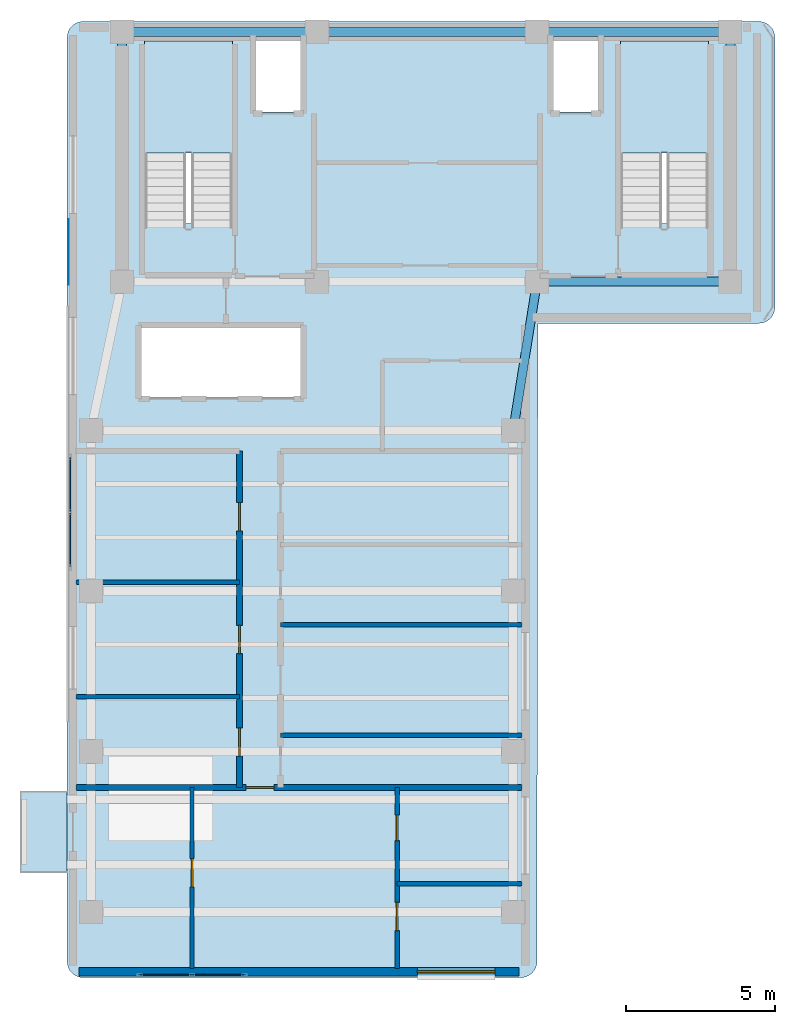
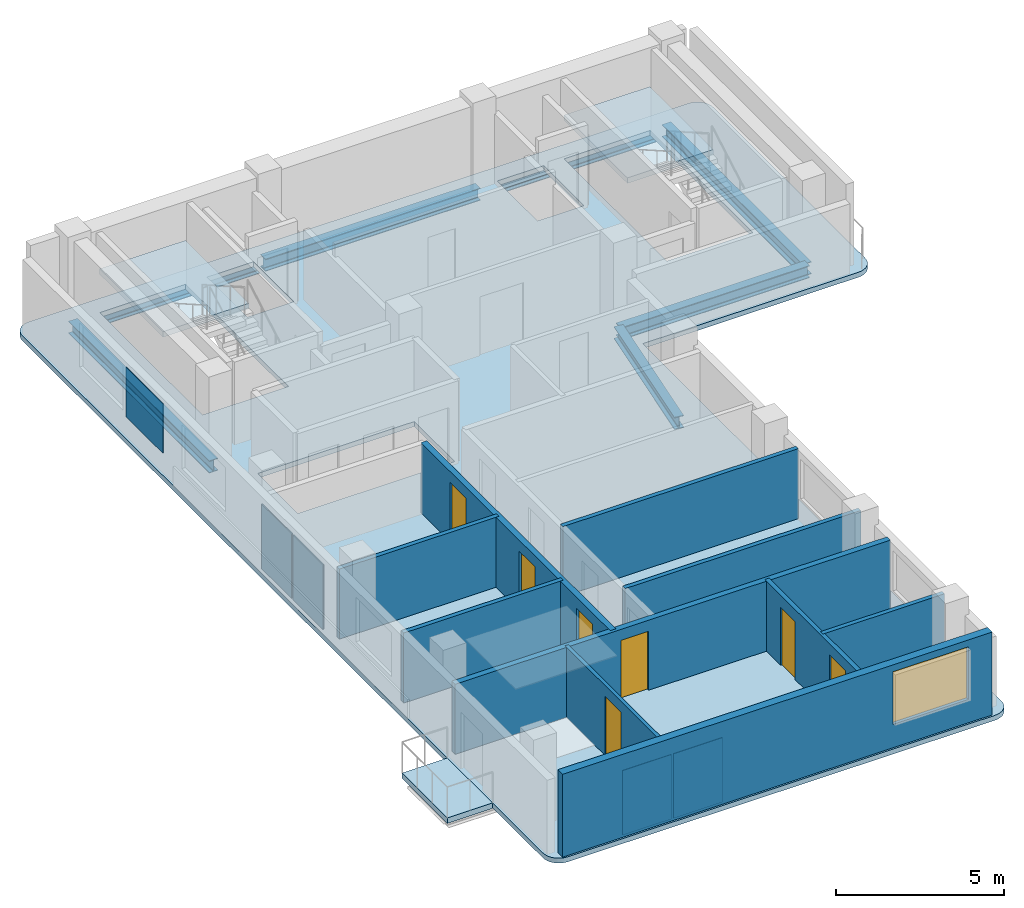
# One storey, part 7 of 11: 10 walls, 7 beams, 7 doors, 5 plates, 4 slabs, 1 window, 8 openings, 4 elements without a shape of their own.
"""IFC4 building model written with IfcOpenShell, lengths in metres."""

from ifc_helpers import new_model, si_unit, direction, frame, frame_2d, origin, origin_2d, place, context, subcontext, project, spatial, polyline, rectangle, i_section, outline, extrude, material, layer, layer_set, material_profile, profile_set, type_object, element, fill, aggregate, save


model = new_model("IFC4")

# Units and contexts
model_context = context("Model", 3, precision=1e-05, world=origin(), true_north=direction((0.0, 1.0)))
body_context = subcontext(model_context, "Body", "Model", "MODEL_VIEW")
ifc_project = project(units=[si_unit("LENGTHUNIT", "METRE"), si_unit("AREAUNIT", "SQUARE_METRE"), si_unit("VOLUMEUNIT", "CUBIC_METRE"), si_unit("PLANEANGLEUNIT", "RADIAN"), si_unit("MASSUNIT", "GRAM", prefix="KILO")], contexts=[model_context])

# Site, building, storey
site_placement = place(None, origin())
site = spatial("IfcSite", under=ifc_project, at=site_placement, CompositionType="ELEMENT")
building_placement = place(site_placement, origin())
building = spatial("IfcBuilding", under=site, at=building_placement, Name="Kuzgunbayir Cultural Tower", CompositionType="ELEMENT")
storey_placement = place(building_placement, frame((0.0, 0.0, 234.39990234375)))
storey = spatial("IfcBuildingStorey", under=building, at=storey_placement, Name="L69", CompositionType="ELEMENT", Elevation=234.39990234375)

# Beams
ifc_material_1 = material(Name="Steel S355J2", Category="steel")
ifc_material_profile = material_profile(ifc_material_1, i_section(OverallWidth=0.300048828125, OverallDepth=0.449951171875, WebThickness=0.013916015625, FlangeThickness=0.02587890625, FilletRadius=0.027099609375, at=origin_2d()), Name="HEB 450")
ifc_profile_set = profile_set([ifc_material_profile], Name="Steel S355J2")
beam_type = type_object("IfcBeamType", Name="BM-GIR-HEB450", PredefinedType="BEAM", material=ifc_profile_set)
beam_1_placement = place(storey_placement, frame((20.39990234375, 33.800048828125, -0.39990234375), z_axis=(1.0, 0.0, 0.0), x_axis=(0.0, 1.0, 0.0)))
element("IfcBeam", 1, at=beam_1_placement, inside=storey, type_object=beam_type, Name="L69 Core South Girder 3", PredefinedType="BEAM", context=body_context, shape_type="SweptSolid", body=[
    extrude(i_section(OverallWidth=0.300048828125, OverallDepth=0.449951171875, WebThickness=0.013916015625, FlangeThickness=0.02587890625, FilletRadius=0.027099609375, at=origin_2d()), origin(), (0.0, 0.0, 1.0), 6.5),
])
beam_2_placement = place(storey_placement, frame((6.449951171875, 42.199951171875, -0.39990234375), z_axis=(1.0, 0.0, 0.0), x_axis=(0.0, 1.0, 0.0)))
element("IfcBeam", 2, at=beam_2_placement, inside=storey, type_object=beam_type, Name="L69 Core North Girder 1", PredefinedType="BEAM", context=body_context, shape_type="SweptSolid", body=[
    extrude(i_section(OverallWidth=0.300048828125, OverallDepth=0.449951171875, WebThickness=0.013916015625, FlangeThickness=0.02587890625, FilletRadius=0.027099609375, at=origin_2d()), origin(), (0.0, 0.0, 1.0), 6.550048828125),
])
beam_3_placement = place(storey_placement, frame((13.0, 42.199951171875, -0.39990234375), z_axis=(1.0, 0.0, 0.0), x_axis=(0.0, 1.0, 0.0)))
element("IfcBeam", 3, at=beam_3_placement, inside=storey, type_object=beam_type, Name="L69 Core North Girder 2", PredefinedType="BEAM", context=body_context, shape_type="SweptSolid", body=[
    extrude(i_section(OverallWidth=0.300048828125, OverallDepth=0.449951171875, WebThickness=0.013916015625, FlangeThickness=0.02587890625, FilletRadius=0.027099609375, at=origin_2d()), origin(), (0.0, 0.0, 1.0), 7.39990234375),
])
beam_4_placement = place(storey_placement, frame((20.39990234375, 42.199951171875, -0.39990234375), z_axis=(1.0, 0.0, 0.0), x_axis=(0.0, 1.0, 0.0)))
element("IfcBeam", 4, at=beam_4_placement, inside=storey, type_object=beam_type, Name="L69 Core North Girder 3", PredefinedType="BEAM", context=body_context, shape_type="SweptSolid", body=[
    extrude(i_section(OverallWidth=0.300048828125, OverallDepth=0.449951171875, WebThickness=0.013916015625, FlangeThickness=0.02587890625, FilletRadius=0.027099609375, at=origin_2d()), origin(), (0.0, 0.0, 1.0), 6.5),
])
for number, where, z_axis, x_axis, name in (
    (5, (6.449951171875, 33.800048828125, -0.39990234375), (0.0, 1.0, 0.0), (-1.0, 0.0, 0.0), "L69 Core West Edge Girder"),
    (6, (26.89990234375, 33.800048828125, -0.39990234375), (0.0, 1.0, 0.0), (-1.0, 0.0, 0.0), "L69 Core East Edge Girder"),
):
    element("IfcBeam", number, at=place(storey_placement, frame(where, z_axis=z_axis, x_axis=x_axis)), inside=storey, type_object=beam_type, Name=name, PredefinedType="BEAM", context=body_context, shape_type="SweptSolid", body=[
        extrude(i_section(OverallWidth=0.300048828125, OverallDepth=0.449951171875, WebThickness=0.013916015625, FlangeThickness=0.02587890625, FilletRadius=0.027099609375, at=origin_2d()), origin(), (0.0, 0.0, 1.0), 8.39990234375),
    ])
beam_5_placement = place(storey_placement, frame((19.60009765625, 28.800048828125, -0.39990234375), z_axis=(0.157952891656, 0.987446648694, 0.0), x_axis=(-0.987446648694, 0.157952891656, 0.0)))
element("IfcBeam", 7, at=beam_5_placement, inside=storey, type_object=beam_type, Name="L69 Wing A East Core Floor Girder", PredefinedType="BEAM", context=body_context, shape_type="SweptSolid", body=[
    extrude(i_section(OverallWidth=0.300048828125, OverallDepth=0.449951171875, WebThickness=0.013916015625, FlangeThickness=0.02587890625, FilletRadius=0.027099609375, at=origin_2d()), origin(), (0.0, 0.0, 1.0), 5.0634765625),
])

# Curtain wall, plates
ifc_material_2 = material(Name="Anodised Aluminium Framing", Category="aluminium")
curtain_wall_type = type_object("IfcCurtainWallType", Name="CW06-OBSERVATORY", PredefinedType="NOTDEFINED", material=ifc_material_2)
curtain_wall_1_placement = place(storey_placement, origin())
curtain_wall_1 = element("IfcCurtainWall", 8, at=curtain_wall_1_placement, inside=storey, type_object=curtain_wall_type, Name="L69 Crown Observatory South Curtain Wall", PredefinedType="NOTDEFINED")
ifc_material_3 = material(Name="Solar-Control Triple Glazing", Category="glass")
ifc_layer_1 = layer(ifc_material_3, 0.035888671875)
ifc_layer_set_1 = layer_set([ifc_layer_1], Name="Solar-Control Triple Glazing")
plate_type_1 = type_object("IfcPlateType", Name="PLT-CW-GLASS-36", PredefinedType="CURTAIN_PANEL", material=ifc_layer_set_1)
plate_1_placement = place(storey_placement, frame((7.918701171875, 10.5, 0.06005859375), z_axis=(0.0, 0.0, 1.0), x_axis=(1.0, 0.0, 0.0)))
plate_1 = element("IfcPlate", 9, at=plate_1_placement, type_object=plate_type_1, Name="CW06 panel 1.1", PredefinedType="CURTAIN_PANEL", context=body_context, shape_type="SweptSolid", body=[
    extrude(rectangle(XDim=1.6875, YDim=0.035888671875, at=origin_2d()), origin(), (0.0, 0.0, 1.0), 2.35009765625),
])
plate_2_placement = place(storey_placement, frame((9.68115234375, 10.5, 0.06005859375), z_axis=(0.0, 0.0, 1.0), x_axis=(1.0, 0.0, 0.0)))
plate_2 = element("IfcPlate", 10, at=plate_2_placement, type_object=plate_type_1, Name="CW06 panel 2.1", PredefinedType="CURTAIN_PANEL", context=body_context, shape_type="SweptSolid", body=[
    extrude(rectangle(XDim=1.6875, YDim=0.035888671875, at=origin_2d()), origin(), (0.0, 0.0, 1.0), 2.35009765625),
])
aggregate(curtain_wall_1, [plate_1, plate_2])

curtain_wall_2_placement = place(storey_placement, origin())
curtain_wall_2 = element("IfcCurtainWall", 11, at=curtain_wall_2_placement, inside=storey, type_object=curtain_wall_type, Name="L69 Crown Observatory West Curtain Wall", PredefinedType="NOTDEFINED")
plate_3_placement = place(storey_placement, frame((4.699951171875, 25.11865234375, 0.06005859375), z_axis=(0.0, 0.0, 1.0), x_axis=(0.0, 1.0, 0.0)))
plate_3 = element("IfcPlate", 12, at=plate_3_placement, type_object=plate_type_1, Name="CW06 panel 1.1", PredefinedType="CURTAIN_PANEL", context=body_context, shape_type="SweptSolid", body=[
    extrude(rectangle(XDim=1.78759765625, YDim=0.035888671875, at=origin_2d()), origin(), (0.0, 0.0, 1.0), 2.35009765625),
])
plate_4_placement = place(storey_placement, frame((4.699951171875, 26.981201171875, 0.06005859375), z_axis=(0.0, 0.0, 1.0), x_axis=(0.0, 1.0, 0.0)))
plate_4 = element("IfcPlate", 13, at=plate_4_placement, type_object=plate_type_1, Name="CW06 panel 2.1", PredefinedType="CURTAIN_PANEL", context=body_context, shape_type="SweptSolid", body=[
    extrude(rectangle(XDim=1.78759765625, YDim=0.035888671875, at=origin_2d()), origin(), (0.0, 0.0, 1.0), 2.35009765625),
])
aggregate(curtain_wall_2, [plate_3, plate_4])

# Plate
ifc_material_4 = material(Name="Perforated Bronze-Anodised Aluminium", Category="aluminium")
ifc_layer_2 = layer(ifc_material_4, 0.02392578125)
ifc_layer_set_2 = layer_set([ifc_layer_2], Name="Perforated Bronze-Anodised Aluminium")
plate_type_2 = type_object("IfcPlateType", Name="PLT-SOLAR-SCREEN-14", PredefinedType="SHEET", material=ifc_layer_set_2)
plate_5_placement = place(storey_placement, frame((4.64990234375, 34.800048828125, 0.75), z_axis=(0.0, 0.0, 1.0), x_axis=(1.0, 0.0, 0.0)))
element("IfcPlate", 14, at=plate_5_placement, inside=storey, type_object=plate_type_2, Name="L69 Tower 1 Perforated Ceramic Solar Screen Panel", PredefinedType="SHEET", context=body_context, shape_type="SweptSolid", body=[
    extrude(rectangle(XDim=0.02392578125, YDim=2.199951171875, at=origin_2d()), origin(), (0.0, 0.0, 1.0), 1.800048828125),
])

# Slab
ifc_material_5 = material(Name="Concrete C40/50", Category="concrete")
ifc_layer_3 = layer(ifc_material_5, 0.199951171875)
ifc_layer_set_3 = layer_set([ifc_layer_3], Name="Concrete C40/50")
slab_type_1 = type_object("IfcSlabType", Name="SLB-BAL-STONE", PredefinedType="FLOOR", material=ifc_layer_set_3)
slab_1_placement = place(storey_placement, frame((0.0, 0.0, -0.199951171875)))
element("IfcSlab", 15, at=slab_1_placement, inside=storey, type_object=slab_type_1, Name="L69 Projecting Limestone Balcony BAL-L69-WA1", PredefinedType="FLOOR", context=body_context, shape_type="SweptSolid", body=[
    extrude(outline(polyline([(3.0400390625, 13.949951171875), (4.60009765625, 13.949951171875), (4.60009765625, 16.64990234375), (3.0400390625, 16.64990234375), (3.0400390625, 13.949951171875)])), origin(), (0.0, 0.0, 1.0), 0.199951171875),
])

# Stair, slab
stair_type = type_object("IfcStairType", Name="STR-EXIT-CORE", PredefinedType="HALF_TURN_STAIR", material=ifc_material_5)
stair_1_placement = place(storey_placement, origin())
stair_1 = element("IfcStair", 16, at=stair_1_placement, inside=storey, type_object=stair_type, Name="L69 ST-1", PredefinedType="HALF_TURN_STAIR")
ifc_layer_4 = layer(ifc_material_5, 0.179931640625)
ifc_layer_set_4 = layer_set([ifc_layer_4], Name="Concrete C40/50")
slab_type_2 = type_object("IfcSlabType", Name="SLB-LANDING-180", PredefinedType="LANDING", material=ifc_layer_set_4)
slab_2_placement = place(storey_placement, frame((0.0, 0.0, 1.400146484375)))
slab_2 = element("IfcSlab", 17, at=slab_2_placement, type_object=slab_type_2, Name="ST-1 landing 1", PredefinedType="LANDING", context=body_context, shape_type="SweptSolid", body=[
    extrude(outline(polyline([(10.159912109375, 38.1201171875), (10.159912109375, 41.89990234375), (7.199951171875, 41.89990234375), (7.199951171875, 38.1201171875), (10.159912109375, 38.1201171875)])), origin(), (0.0, 0.0, 1.0), 0.199951171875),
])
aggregate(stair_1, [slab_2])

stair_2_placement = place(storey_placement, origin())
stair_2 = element("IfcStair", 18, at=stair_2_placement, inside=storey, type_object=stair_type, Name="L69 ST-2", PredefinedType="HALF_TURN_STAIR")
slab_3_placement = place(storey_placement, frame((0.0, 0.0, 1.400146484375)))
slab_3 = element("IfcSlab", 19, at=slab_3_placement, type_object=slab_type_2, Name="ST-2 landing 1", PredefinedType="LANDING", context=body_context, shape_type="SweptSolid", body=[
    extrude(outline(polyline([(26.159912109375, 38.1201171875), (26.159912109375, 41.89990234375), (23.199951171875, 41.89990234375), (23.199951171875, 38.1201171875), (26.159912109375, 38.1201171875)])), origin(), (0.0, 0.0, 1.0), 0.199951171875),
])
aggregate(stair_2, [slab_3])

# Slab
ifc_layer_5 = layer(ifc_material_5, 0.179931640625)
ifc_layer_set_5 = layer_set([ifc_layer_5], Name="Concrete C40/50")
slab_type_3 = type_object("IfcSlabType", Name="SLB-TYP-180", PredefinedType="FLOOR", material=ifc_layer_set_5)
slab_4_placement = place(storey_placement, frame((0.0, 0.0, -0.179931640625)))
element("IfcSlab", 20, at=slab_4_placement, inside=storey, type_object=slab_type_3, Name="L69 Tower 1 Floor Slab T1-MAIN", PredefinedType="FLOOR", context=body_context, shape_type="SweptSolid", body=[
    extrude(outline(polyline([(20.39990234375, 10.949951171875), (20.389892578125, 10.840087890625), (20.360107421875, 10.739990234375), (20.31005859375, 10.639892578125), (20.239990234375, 10.56005859375), (20.159912109375, 10.489990234375), (20.06005859375, 10.43994140625), (19.9599609375, 10.409912109375), (19.85009765625, 10.39990234375), (5.14990234375, 10.39990234375), (5.0400390625, 10.409912109375), (4.93994140625, 10.43994140625), (4.840087890625, 10.489990234375), (4.760009765625, 10.56005859375), (4.68994140625, 10.639892578125), (4.639892578125, 10.739990234375), (4.610107421875, 10.840087890625), (4.60009765625, 10.949951171875), (4.60009765625, 42.0), (4.610107421875, 42.110107421875), (4.639892578125, 42.2099609375), (4.68994140625, 42.31005859375), (4.760009765625, 42.389892578125), (4.840087890625, 42.4599609375), (4.93994140625, 42.510009765625), (5.0400390625, 42.5400390625), (5.14990234375, 42.550048828125), (27.85009765625, 42.550048828125), (27.9599609375, 42.5400390625), (28.06005859375, 42.510009765625), (28.159912109375, 42.4599609375), (28.239990234375, 42.389892578125), (28.31005859375, 42.31005859375), (28.360107421875, 42.2099609375), (28.389892578125, 42.110107421875), (28.39990234375, 42.0), (28.39990234375, 32.949951171875), (28.389892578125, 32.840087890625), (28.360107421875, 32.739990234375), (28.31005859375, 32.639892578125), (28.239990234375, 32.56005859375), (28.159912109375, 32.489990234375), (28.06005859375, 32.43994140625), (27.9599609375, 32.409912109375), (27.85009765625, 32.39990234375), (20.429931640625, 32.39990234375), (20.39990234375, 10.949951171875)]), holes=[polyline([(7.199951171875, 35.760009765625), (7.199951171875, 41.89990234375), (10.159912109375, 41.89990234375), (10.159912109375, 35.760009765625), (7.199951171875, 35.760009765625)]), polyline([(23.199951171875, 35.760009765625), (23.199951171875, 41.89990234375), (26.159912109375, 41.89990234375), (26.159912109375, 35.760009765625), (23.199951171875, 35.760009765625)]), polyline([(7.10009765625, 29.89990234375), (7.10009765625, 32.300048828125), (12.5, 32.300048828125), (12.5, 29.89990234375), (7.10009765625, 29.89990234375)]), polyline([(10.89990234375, 39.5), (10.89990234375, 41.89990234375), (12.5, 41.89990234375), (12.5, 39.5), (10.89990234375, 39.5)]), polyline([(20.89990234375, 39.5), (20.89990234375, 41.89990234375), (22.5, 41.89990234375), (22.5, 39.5), (20.89990234375, 39.5)])]), origin(), (0.0, 0.0, 1.0), 0.179931640625),
])

# Wall, opening, window
ifc_material_6 = material(Name="Anatolian Cream Limestone", Category="masonry")
ifc_layer_6 = layer(ifc_material_6, 0.280029296875)
ifc_layer_set_6 = layer_set([ifc_layer_6], Name="Anatolian Cream Limestone")
wall_type_1 = type_object("IfcWallType", Name="WAL-EXT-STONE-280", PredefinedType="STANDARD", material=ifc_layer_set_6)
wall_1_placement = place(storey_placement, frame((5.0, 10.60009765625, 0.0), z_axis=(0.0, 0.0, 1.0), x_axis=(1.0, 0.0, 0.0)))
wall_1 = element("IfcWall", 21, at=wall_1_placement, inside=storey, type_object=wall_type_1, Name="L69 Wing A South Limestone Wall", PredefinedType="STANDARD", context=body_context, shape_type="SweptSolid", body=[
    extrude(rectangle(XDim=14.800048828125, YDim=0.280029296875, at=frame_2d((7.39990234375, 0.0))), origin(), (0.0, 0.0, 1.0), 3.02001953125),
])
opening_1_placement = place(wall_1_placement, frame((11.3798828125, 0.0, 0.85009765625)))
opening_1 = element("IfcOpeningElement", 22, at=opening_1_placement, cuts=wall_1, Name="Opening WK-26", PredefinedType="OPENING", context=body_context, shape_type="SweptSolid", body=[
    extrude(rectangle(XDim=2.60009765625, YDim=1.919921875, at=frame_2d((1.300048828125, 0.9599609375))), frame((0.0, 0.14990234375, 0.0), z_axis=(0.0, -1.0, 0.0), x_axis=(1.0, 0.0, 0.0)), (0.0, 0.0, 1.0), 0.300048828125),
])
window_type = type_object("IfcWindowType", Name="WIN-CROWN-26", PartitioningType="SINGLE_PANEL", PredefinedType="WINDOW", material=ifc_material_3)
window_placement = place(opening_1_placement, origin())
window = element("IfcWindow", 23, at=window_placement, inside=storey, type_object=window_type, Name="L69 WAS Facade Window 1", OverallHeight=1.919921875, OverallWidth=2.60009765625, PartitioningType="SINGLE_PANEL", PredefinedType="WINDOW", context=body_context, shape_type="SweptSolid", body=[
    extrude(rectangle(XDim=2.60009765625, YDim=1.919921875, at=frame_2d((1.300048828125, 0.9599609375))), frame((0.0, 0.030029296875, 0.0), z_axis=(0.0, -1.0, 0.0), x_axis=(1.0, 0.0, 0.0)), (0.0, 0.0, 1.0), 0.06005859375),
])
fill(opening_1, window)

# Walls
ifc_material_7 = material(Name="Acoustic Double-Stud Drywall", Category="gypsum")
ifc_layer_7 = layer(ifc_material_7, 0.14990234375)
ifc_layer_set_7 = layer_set([ifc_layer_7], Name="Acoustic Double-Stud Drywall")
wall_type_2 = type_object("IfcWallType", Name="WAL-PART-ACOUSTIC-150", PredefinedType="PARTITIONING", material=ifc_layer_set_7)
for number, where, z_axis, x_axis, name in (
    (24, (4.89990234375, 19.85009765625, 0.0), (0.0, 0.0, 1.0), (1.0, 0.0, 0.0), "L69 West Study Partition 1"),
    (25, (4.89990234375, 23.68994140625, 0.0), (0.0, 0.0, 1.0), (1.0, 0.0, 0.0), "L69 West Study Partition 2"),
):
    element("IfcWall", number, at=place(storey_placement, frame(where, z_axis=z_axis, x_axis=x_axis)), inside=storey, type_object=wall_type_2, Name=name, PredefinedType="PARTITIONING", context=body_context, shape_type="SweptSolid", body=[
        extrude(rectangle(XDim=5.5, YDim=0.14990234375, at=frame_2d((2.75, 0.0))), origin(), (0.0, 0.0, 1.0), 2.550048828125),
    ])
wall_2_placement = place(storey_placement, frame((11.780029296875, 22.27001953125, 0.0), z_axis=(0.0, 0.0, 1.0), x_axis=(1.0, 0.0, 0.0)))
element("IfcWall", 26, at=wall_2_placement, inside=storey, type_object=wall_type_2, Name="L69 East Divider 1", PredefinedType="PARTITIONING", context=body_context, shape_type="SweptSolid", body=[
    extrude(rectangle(XDim=8.119873046875, YDim=0.14990234375, at=frame_2d((4.06005859375, 0.0))), origin(), (0.0, 0.0, 1.0), 2.550048828125),
])

# Wall, openings, doors
ifc_material_8 = material(Name="Aerated Concrete Blockwork", Category="masonry")
ifc_layer_8 = layer(ifc_material_8, 0.199951171875)
ifc_layer_set_8 = layer_set([ifc_layer_8], Name="Aerated Concrete Blockwork")
wall_type_3 = type_object("IfcWallType", Name="WAL-PART-FIRE-200", PredefinedType="PARTITIONING", material=ifc_layer_set_8)
wall_3_placement = place(storey_placement, frame((10.39990234375, 16.800048828125, 0.0), z_axis=(0.0, 0.0, 1.0), x_axis=(0.0, 1.0, 0.0)))
wall_3 = element("IfcWall", 27, at=wall_3_placement, inside=storey, type_object=wall_type_3, Name="L69 Wing A West Corridor Wall", PredefinedType="PARTITIONING", context=body_context, shape_type="SweptSolid", body=[
    extrude(rectangle(XDim=11.300048828125, YDim=0.199951171875, at=frame_2d((5.64990234375, 0.0))), origin(), (0.0, 0.0, 1.0), 2.550048828125),
])
opening_2_placement = place(wall_3_placement, frame((1.050048828125, 0.0, 0.0)))
opening_2 = element("IfcOpeningElement", 28, at=opening_2_placement, cuts=wall_3, Name="Opening DI-90", PredefinedType="OPENING", context=body_context, shape_type="SweptSolid", body=[
    extrude(rectangle(XDim=0.949951171875, YDim=2.14990234375, at=frame_2d((0.47509765625, 1.074951171875))), frame((0.0, 0.10986328125, 0.0), z_axis=(0.0, -1.0, 0.0), x_axis=(1.0, 0.0, 0.0)), (0.0, 0.0, 1.0), 0.219970703125),
])
opening_3_placement = place(wall_3_placement, frame((4.489990234375, 0.0, 0.0)))
opening_3 = element("IfcOpeningElement", 29, at=opening_3_placement, cuts=wall_3, Name="Opening DI-90", PredefinedType="OPENING", context=body_context, shape_type="SweptSolid", body=[
    extrude(rectangle(XDim=0.949951171875, YDim=2.14990234375, at=frame_2d((0.47509765625, 1.074951171875))), frame((0.0, 0.10986328125, 0.0), z_axis=(0.0, -1.0, 0.0), x_axis=(1.0, 0.0, 0.0)), (0.0, 0.0, 1.0), 0.219970703125),
])
opening_4_placement = place(wall_3_placement, frame((8.6201171875, 0.0, 0.0)))
opening_4 = element("IfcOpeningElement", 30, at=opening_4_placement, cuts=wall_3, Name="Opening DI-90", PredefinedType="OPENING", context=body_context, shape_type="SweptSolid", body=[
    extrude(rectangle(XDim=0.949951171875, YDim=2.14990234375, at=frame_2d((0.47509765625, 1.074951171875))), frame((0.0, 0.10986328125, 0.0), z_axis=(0.0, -1.0, 0.0), x_axis=(1.0, 0.0, 0.0)), (0.0, 0.0, 1.0), 0.219970703125),
])
ifc_material_9 = material(Name="Veneered Oak Single Leaf", Category="wood")
door_type_1 = type_object("IfcDoorType", Name="DR-INT-90", OperationType="NOTDEFINED", PredefinedType="DOOR", material=ifc_material_9)
door_1_placement = place(opening_2_placement, origin())
door_1 = element("IfcDoor", 31, at=door_1_placement, inside=storey, type_object=door_type_1, Name="L69 Art Publication Salon W1 Door", OperationType="SINGLE_SWING_RIGHT", OverallHeight=2.14990234375, OverallWidth=0.949951171875, PredefinedType="DOOR", context=body_context, shape_type="SweptSolid", body=[
    extrude(rectangle(XDim=0.949951171875, YDim=2.14990234375, at=frame_2d((0.47509765625, 1.074951171875))), frame((0.0, 0.02490234375, 0.0), z_axis=(0.0, -1.0, 0.0), x_axis=(1.0, 0.0, 0.0)), (0.0, 0.0, 1.0), 0.050048828125),
])
fill(opening_2, door_1)
door_2_placement = place(opening_3_placement, origin())
door_2 = element("IfcDoor", 32, at=door_2_placement, inside=storey, type_object=door_type_1, Name="L69 Art Publication Salon W2 Door", OperationType="SINGLE_SWING_LEFT", OverallHeight=2.14990234375, OverallWidth=0.949951171875, PredefinedType="DOOR", context=body_context, shape_type="SweptSolid", body=[
    extrude(rectangle(XDim=0.949951171875, YDim=2.14990234375, at=frame_2d((0.47509765625, 1.074951171875))), frame((0.0, 0.02490234375, 0.0), z_axis=(0.0, -1.0, 0.0), x_axis=(1.0, 0.0, 0.0)), (0.0, 0.0, 1.0), 0.050048828125),
])
fill(opening_3, door_2)
door_3_placement = place(opening_4_placement, origin())
door_3 = element("IfcDoor", 33, at=door_3_placement, inside=storey, type_object=door_type_1, Name="L69 Fellows Reading Lounge W3 Door", OperationType="SINGLE_SWING_RIGHT", OverallHeight=2.14990234375, OverallWidth=0.949951171875, PredefinedType="DOOR", context=body_context, shape_type="SweptSolid", body=[
    extrude(rectangle(XDim=0.949951171875, YDim=2.14990234375, at=frame_2d((0.47509765625, 1.074951171875))), frame((0.0, 0.02490234375, 0.0), z_axis=(0.0, -1.0, 0.0), x_axis=(1.0, 0.0, 0.0)), (0.0, 0.0, 1.0), 0.050048828125),
])
fill(opening_4, door_3)

# Wall, opening, door
wall_4_placement = place(storey_placement, frame((4.89990234375, 16.800048828125, 0.0), z_axis=(0.0, 0.0, 1.0), x_axis=(1.0, 0.0, 0.0)))
wall_4 = element("IfcWall", 34, at=wall_4_placement, inside=storey, type_object=wall_type_3, Name="L69 South Cross Partition", PredefinedType="PARTITIONING", context=body_context, shape_type="SweptSolid", body=[
    extrude(rectangle(XDim=15.0, YDim=0.199951171875, at=frame_2d((7.5, 0.0))), origin(), (0.0, 0.0, 1.0), 2.550048828125),
])
opening_5_placement = place(wall_4_placement, frame((5.7099609375, 0.0, 0.0)))
opening_5 = element("IfcOpeningElement", 35, at=opening_5_placement, cuts=wall_4, Name="Opening DR-APT-60", PredefinedType="OPENING", context=body_context, shape_type="SweptSolid", body=[
    extrude(rectangle(XDim=0.949951171875, YDim=2.14990234375, at=frame_2d((0.47509765625, 1.074951171875))), frame((0.0, 0.10986328125, 0.0), z_axis=(0.0, -1.0, 0.0), x_axis=(1.0, 0.0, 0.0)), (0.0, 0.0, 1.0), 0.219970703125),
])
ifc_material_10 = material(Name="Acoustic Fire Timber Leaf", Category="wood")
door_type_2 = type_object("IfcDoorType", Name="DR-APT-60", OperationType="NOTDEFINED", PredefinedType="DOOR", material=ifc_material_10)
door_4_placement = place(opening_5_placement, origin())
door_4 = element("IfcDoor", 36, at=door_4_placement, inside=storey, type_object=door_type_2, Name="L69 Apartment A Entrance", OperationType="SINGLE_SWING_RIGHT", OverallHeight=2.14990234375, OverallWidth=0.949951171875, PredefinedType="DOOR", context=body_context, shape_type="SweptSolid", body=[
    extrude(rectangle(XDim=0.949951171875, YDim=2.14990234375, at=frame_2d((0.47509765625, 1.074951171875))), frame((0.0, 0.02490234375, 0.0), z_axis=(0.0, -1.0, 0.0), x_axis=(1.0, 0.0, 0.0)), (0.0, 0.0, 1.0), 0.050048828125),
])
fill(opening_5, door_4)

ifc_material_11 = material(Name="Framed Gypsum Partition", Category="gypsum")
ifc_layer_9 = layer(ifc_material_11, 0.1201171875)
ifc_layer_set_9 = layer_set([ifc_layer_9], Name="Framed Gypsum Partition")
wall_type_4 = type_object("IfcWallType", Name="WAL-PART-INT-120", PredefinedType="PARTITIONING", material=ifc_layer_set_9)
wall_5_placement = place(storey_placement, frame((8.800048828125, 10.699951171875, 0.0), z_axis=(0.0, 0.0, 1.0), x_axis=(0.0, 1.0, 0.0)))
wall_5 = element("IfcWall", 37, at=wall_5_placement, inside=storey, type_object=wall_type_4, Name="L69 Flat A West Bedroom Wall", PredefinedType="PARTITIONING", context=body_context, shape_type="SweptSolid", body=[
    extrude(rectangle(XDim=6.10009765625, YDim=0.1201171875, at=frame_2d((3.050048828125, 0.0))), origin(), (0.0, 0.0, 1.0), 2.550048828125),
])
opening_6_placement = place(wall_5_placement, frame((2.75, 0.0, 0.0)))
opening_6 = element("IfcOpeningElement", 38, at=opening_6_placement, cuts=wall_5, Name="Opening DI-90", PredefinedType="OPENING", context=body_context, shape_type="SweptSolid", body=[
    extrude(rectangle(XDim=0.949951171875, YDim=2.14990234375, at=frame_2d((0.47509765625, 1.074951171875))), frame((0.0, 0.070068359375, 0.0), z_axis=(0.0, -1.0, 0.0), x_axis=(1.0, 0.0, 0.0)), (0.0, 0.0, 1.0), 0.14013671875),
])
door_5_placement = place(opening_6_placement, origin())
door_5 = element("IfcDoor", 39, at=door_5_placement, inside=storey, type_object=door_type_1, Name="L69 Apartment A Bedroom Door", OperationType="SINGLE_SWING_LEFT", OverallHeight=2.14990234375, OverallWidth=0.949951171875, PredefinedType="DOOR", context=body_context, shape_type="SweptSolid", body=[
    extrude(rectangle(XDim=0.949951171875, YDim=2.14990234375, at=frame_2d((0.47509765625, 1.074951171875))), frame((0.0, 0.02490234375, 0.0), z_axis=(0.0, -1.0, 0.0), x_axis=(1.0, 0.0, 0.0)), (0.0, 0.0, 1.0), 0.050048828125),
])
fill(opening_6, door_5)

# Wall, openings, doors
ifc_material_12 = material(Name="Moisture-Resistant Tile Partition", Category="gypsum")
ifc_layer_10 = layer(ifc_material_12, 0.14990234375)
ifc_layer_set_10 = layer_set([ifc_layer_10], Name="Moisture-Resistant Tile Partition")
wall_type_5 = type_object("IfcWallType", Name="WAL-PART-WET-150", PredefinedType="PARTITIONING", material=ifc_layer_set_10)
wall_6_placement = place(storey_placement, frame((15.699951171875, 10.699951171875, 0.0), z_axis=(0.0, 0.0, 1.0), x_axis=(0.0, 1.0, 0.0)))
wall_6 = element("IfcWall", 40, at=wall_6_placement, inside=storey, type_object=wall_type_5, Name="L69 Flat A East Service Wall", PredefinedType="PARTITIONING", context=body_context, shape_type="SweptSolid", body=[
    extrude(rectangle(XDim=6.10009765625, YDim=0.14990234375, at=frame_2d((3.050048828125, 0.0))), origin(), (0.0, 0.0, 1.0), 2.550048828125),
])
opening_7_placement = place(wall_6_placement, frame((1.280029296875, 0.0, 0.0)))
opening_7 = element("IfcOpeningElement", 41, at=opening_7_placement, cuts=wall_6, Name="Opening DI-90", PredefinedType="OPENING", context=body_context, shape_type="SweptSolid", body=[
    extrude(rectangle(XDim=0.949951171875, YDim=2.14990234375, at=frame_2d((0.47509765625, 1.074951171875))), frame((0.0, 0.0849609375, 0.0), z_axis=(0.0, -1.0, 0.0), x_axis=(1.0, 0.0, 0.0)), (0.0, 0.0, 1.0), 0.169921875),
])
opening_8_placement = place(wall_6_placement, frame((4.31005859375, 0.0, 0.0)))
opening_8 = element("IfcOpeningElement", 42, at=opening_8_placement, cuts=wall_6, Name="Opening DW-85", PredefinedType="OPENING", context=body_context, shape_type="SweptSolid", body=[
    extrude(rectangle(XDim=0.85009765625, YDim=2.10009765625, at=frame_2d((0.425048828125, 1.050048828125))), frame((0.0, 0.0849609375, 0.0), z_axis=(0.0, -1.0, 0.0), x_axis=(1.0, 0.0, 0.0)), (0.0, 0.0, 1.0), 0.169921875),
])
door_6_placement = place(opening_7_placement, origin())
door_6 = element("IfcDoor", 43, at=door_6_placement, inside=storey, type_object=door_type_1, Name="L69 Apartment A Kitchen Door", OperationType="SINGLE_SWING_RIGHT", OverallHeight=2.14990234375, OverallWidth=0.949951171875, PredefinedType="DOOR", context=body_context, shape_type="SweptSolid", body=[
    extrude(rectangle(XDim=0.949951171875, YDim=2.14990234375, at=frame_2d((0.47509765625, 1.074951171875))), frame((0.0, 0.02490234375, 0.0), z_axis=(0.0, -1.0, 0.0), x_axis=(1.0, 0.0, 0.0)), (0.0, 0.0, 1.0), 0.050048828125),
])
fill(opening_7, door_6)
ifc_material_13 = material(Name="Laminate Moisture-Resistant Leaf", Category="wood")
door_type_3 = type_object("IfcDoorType", Name="DR-WET-85", OperationType="NOTDEFINED", PredefinedType="DOOR", material=ifc_material_13)
door_7_placement = place(opening_8_placement, origin())
door_7 = element("IfcDoor", 44, at=door_7_placement, inside=storey, type_object=door_type_3, Name="L69 Apartment A Bathroom Door", OperationType="SINGLE_SWING_LEFT", OverallHeight=2.10009765625, OverallWidth=0.85009765625, PredefinedType="DOOR", context=body_context, shape_type="SweptSolid", body=[
    extrude(rectangle(XDim=0.85009765625, YDim=2.10009765625, at=frame_2d((0.425048828125, 1.050048828125))), frame((0.0, 0.02490234375, 0.0), z_axis=(0.0, -1.0, 0.0), x_axis=(1.0, 0.0, 0.0)), (0.0, 0.0, 1.0), 0.050048828125),
])
fill(opening_8, door_7)

# Walls
wall_7_placement = place(storey_placement, frame((15.699951171875, 13.550048828125, 0.0), z_axis=(0.0, 0.0, 1.0), x_axis=(1.0, 0.0, 0.0)))
element("IfcWall", 45, at=wall_7_placement, inside=storey, type_object=wall_type_5, Name="L69 Flat A Bath Kitchen Divider", PredefinedType="PARTITIONING", context=body_context, shape_type="SweptSolid", body=[
    extrude(rectangle(XDim=4.199951171875, YDim=0.14990234375, at=frame_2d((2.10009765625, 0.0))), origin(), (0.0, 0.0, 1.0), 2.550048828125),
])
wall_8_placement = place(storey_placement, frame((11.780029296875, 18.550048828125, 0.0), z_axis=(0.0, 0.0, 1.0), x_axis=(1.0, 0.0, 0.0)))
element("IfcWall", 46, at=wall_8_placement, inside=storey, type_object=wall_type_5, Name="L69 East Accessible WC Wall", PredefinedType="PARTITIONING", context=body_context, shape_type="SweptSolid", body=[
    extrude(rectangle(XDim=8.119873046875, YDim=0.14990234375, at=frame_2d((4.06005859375, 0.0))), origin(), (0.0, 0.0, 1.0), 2.550048828125),
])

save(model, "model.ifc")
